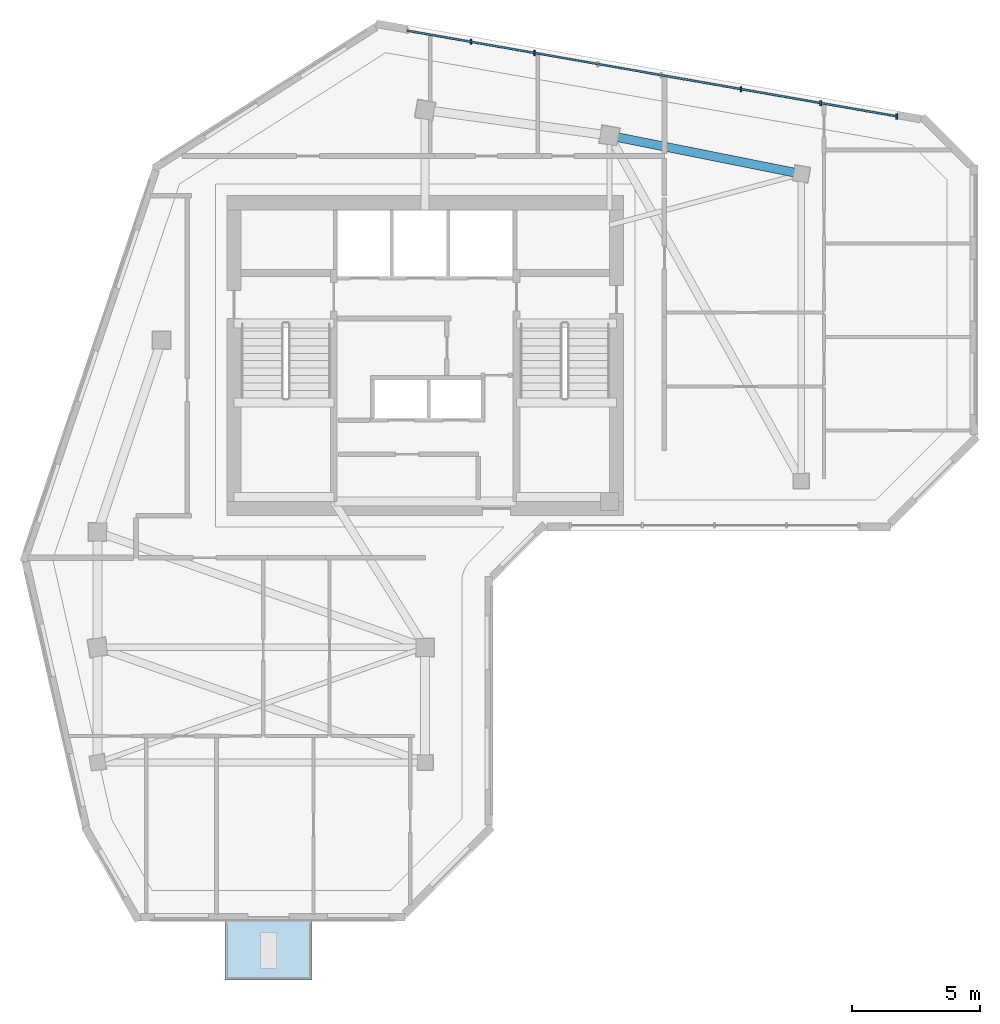
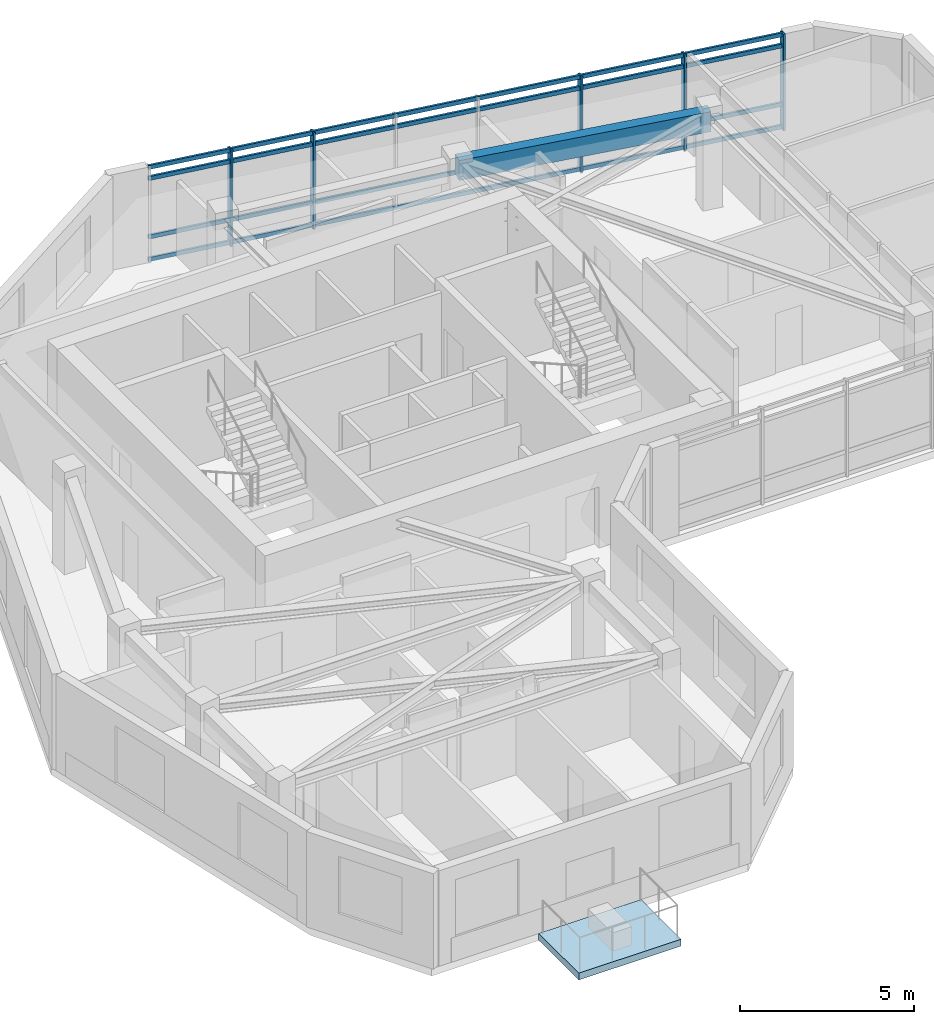
# One storey, part 2 of 10: 9 members, 1 beam, 1 slab, 1 element without a shape of its own.
"""IFC4 building model written with IfcOpenShell, lengths in metres."""

from ifc_helpers import new_model, si_unit, direction, frame, origin, origin_2d, place, context, subcontext, project, spatial, polyline, rectangle, outline, extrude, source, transform, mapped, material, layer, layer_set, material_profile, profile_set, type_object, element, aggregate, save


model = new_model("IFC4")

# Units and contexts
model_context = context("Model", 3, precision=1e-05, world=origin(), true_north=direction((0.0, 1.0)))
body_context = subcontext(model_context, "Body", "Model", "MODEL_VIEW")
ifc_project = project(units=[si_unit("LENGTHUNIT", "METRE"), si_unit("AREAUNIT", "SQUARE_METRE"), si_unit("VOLUMEUNIT", "CUBIC_METRE"), si_unit("PLANEANGLEUNIT", "RADIAN"), si_unit("MASSUNIT", "GRAM", prefix="KILO")], contexts=[model_context])

# Site, building, storey
site_placement = place(None, origin())
site = spatial("IfcSite", under=ifc_project, at=site_placement, CompositionType="ELEMENT")
building_placement = place(site_placement, origin())
building = spatial("IfcBuilding", under=site, at=building_placement, Name="Calvemar Wedge Station Tower", CompositionType="ELEMENT")
storey_placement = place(building_placement, frame((0.0, 0.0, 252.89990234375)))
storey = spatial("IfcBuildingStorey", under=building, at=storey_placement, Name="L64", CompositionType="ELEMENT", Elevation=252.89990234375)

# Beam
ifc_material_1 = material(Name="Concrete C50", Category="concrete")
ifc_material_profile_1 = material_profile(ifc_material_1, rectangle(XDim=0.35009765625, YDim=0.699951171875, at=origin_2d()), Name="RC350x700")
ifc_profile_set_1 = profile_set([ifc_material_profile_1], Name="Concrete C50")
beam_type = type_object("IfcBeamType", Name="BM-SP2-700", PredefinedType="SPANDREL", material=ifc_profile_set_1)
shared_shape_1 = source(origin(), body_context, "Body", "SweptSolid", [
    extrude(rectangle(XDim=0.35009765625, YDim=0.699951171875, at=origin_2d()), origin(), (0.0, 0.0, 1.0), 7.6484375),
])
beam_placement = place(storey_placement, frame((31.0, 48.5, 3.0), z_axis=(0.980580675691, -0.196116135138, 0.0), x_axis=(0.196116135138, 0.980580675691, 0.0)))
element("IfcBeam", 1, at=beam_placement, inside=storey, type_object=beam_type, Name="Storey L64 Spandrel T-N2-T-NU3", PredefinedType="SPANDREL", context=body_context, shape_type="MappedRepresentation", body=[
    mapped(shared_shape_1, transform((0.0, 0.0, 0.0), scale=1.0)),
])

# Curtain wall, members
ifc_material_2 = material(Name="Anodised aluminium 6063-T6", Category="aluminium")
curtain_wall_type = type_object("IfcCurtainWallType", Name="CW4", PredefinedType="NOTDEFINED", material=ifc_material_2)
curtain_wall_placement = place(storey_placement, origin())
curtain_wall = element("IfcCurtainWall", 2, at=curtain_wall_placement, inside=storey, type_object=curtain_wall_type, Name="Storey L64 CW4 Recessed Unitised Curtain Wall 10", PredefinedType="NOTDEFINED")
ifc_material_profile_2 = material_profile(ifc_material_2, rectangle(XDim=0.070068359375, YDim=0.199951171875, at=origin_2d()), Name="AL-MUL-70x200")
ifc_profile_set_2 = profile_set([ifc_material_profile_2], Name="Anodised aluminium 6063-T6")
member_type_1 = type_object("IfcMemberType", Name="CW4-MUL", PredefinedType="MULLION", material=ifc_profile_set_2)
shared_shape_2 = source(origin(), body_context, "Body", "SweptSolid", [
    extrude(rectangle(XDim=0.070068359375, YDim=0.199951171875, at=origin_2d()), origin(), (0.0, 0.0, 1.0), 3.39990234375),
])
member_1_placement = place(storey_placement, frame((42.233642578125, 49.246826171875, -0.0498046875), z_axis=(0.0, 0.0, 1.0), x_axis=(1.0, 0.0, 0.0)))
member_1 = element("IfcMember", 3, at=member_1_placement, type_object=member_type_1, Name="CW4 mullion 1", PredefinedType="MULLION", context=body_context, shape_type="MappedRepresentation", body=[
    mapped(shared_shape_2, transform((0.0, 0.0, 0.0), scale=1.0)),
])
member_2_placement = place(storey_placement, frame((39.253662109375, 49.768310546875, -0.0498046875), z_axis=(0.0, 0.0, 1.0), x_axis=(1.0, 0.0, 0.0)))
member_2 = element("IfcMember", 4, at=member_2_placement, type_object=member_type_1, Name="CW4 mullion 2", PredefinedType="MULLION", context=body_context, shape_type="MappedRepresentation", body=[
    mapped(shared_shape_2, transform((0.0, 0.0, 0.0), scale=1.0)),
])
member_3_placement = place(storey_placement, frame((36.1376953125, 50.3134765625, -0.0498046875), z_axis=(0.0, 0.0, 1.0), x_axis=(1.0, 0.0, 0.0)))
member_3 = element("IfcMember", 5, at=member_3_placement, type_object=member_type_1, Name="CW4 mullion 3", PredefinedType="MULLION", context=body_context, shape_type="MappedRepresentation", body=[
    mapped(shared_shape_2, transform((0.0, 0.0, 0.0), scale=1.0)),
])
member_4_placement = place(storey_placement, frame((28.071533203125, 51.724609375, -0.0498046875), z_axis=(0.0, 0.0, 1.0), x_axis=(1.0, 0.0, 0.0)))
member_4 = element("IfcMember", 6, at=member_4_placement, type_object=member_type_1, Name="CW4 mullion 6", PredefinedType="MULLION", context=body_context, shape_type="MappedRepresentation", body=[
    mapped(shared_shape_2, transform((0.0, 0.0, 0.0), scale=1.0)),
])
member_5_placement = place(storey_placement, frame((25.588134765625, 52.158935546875, -0.0498046875), z_axis=(0.0, 0.0, 1.0), x_axis=(1.0, 0.0, 0.0)))
member_5 = element("IfcMember", 7, at=member_5_placement, type_object=member_type_1, Name="CW4 mullion 7", PredefinedType="MULLION", context=body_context, shape_type="MappedRepresentation", body=[
    mapped(shared_shape_2, transform((0.0, 0.0, 0.0), scale=1.0)),
])
ifc_material_profile_3 = material_profile(ifc_material_2, rectangle(XDim=0.070068359375, YDim=0.139892578125, at=origin_2d()), Name="AL-TRN-70x140")
ifc_profile_set_3 = profile_set([ifc_material_profile_3], Name="Anodised aluminium 6063-T6")
member_type_2 = type_object("IfcMemberType", Name="CW4-TRN", PredefinedType="USERDEFINED", material=ifc_profile_set_3)
shared_shape_3 = source(origin(), body_context, "Body", "SweptSolid", [
    extrude(rectangle(XDim=0.070068359375, YDim=0.139892578125, at=origin_2d()), origin(), (0.0, 0.0, 1.0), 19.41943359375),
])
member_6_placement = place(storey_placement, frame((42.233642578125, 49.246826171875, 0.06005859375), z_axis=(-0.985038151159, 0.172336417399, 0.0), x_axis=(-0.172336417399, -0.985038151159, 0.0)))
member_6 = element("IfcMember", 8, at=member_6_placement, type_object=member_type_2, Name="CW4 transom 1", ObjectType="TRANSOM", PredefinedType="USERDEFINED", context=body_context, shape_type="MappedRepresentation", body=[
    mapped(shared_shape_3, transform((0.0, 0.0, 0.0), scale=1.0)),
])
member_7_placement = place(storey_placement, frame((42.233642578125, 49.246826171875, 0.85009765625), z_axis=(-0.985038151159, 0.172336417399, 0.0), x_axis=(-0.172336417399, -0.985038151159, 0.0)))
member_7 = element("IfcMember", 9, at=member_7_placement, type_object=member_type_2, Name="CW4 transom 2", ObjectType="TRANSOM", PredefinedType="USERDEFINED", context=body_context, shape_type="MappedRepresentation", body=[
    mapped(shared_shape_3, transform((0.0, 0.0, 0.0), scale=1.0)),
])
member_8_placement = place(storey_placement, frame((42.233642578125, 49.246826171875, 2.900146484375), z_axis=(-0.985038151159, 0.172336417399, 0.0), x_axis=(-0.172336417399, -0.985038151159, 0.0)))
member_8 = element("IfcMember", 10, at=member_8_placement, type_object=member_type_2, Name="CW4 transom 3", ObjectType="TRANSOM", PredefinedType="USERDEFINED", context=body_context, shape_type="MappedRepresentation", body=[
    mapped(shared_shape_3, transform((0.0, 0.0, 0.0), scale=1.0)),
])
member_9_placement = place(storey_placement, frame((42.233642578125, 49.246826171875, 3.2900390625), z_axis=(-0.985038151159, 0.172336417399, 0.0), x_axis=(-0.172336417399, -0.985038151159, 0.0)))
member_9 = element("IfcMember", 11, at=member_9_placement, type_object=member_type_2, Name="CW4 transom 4", ObjectType="TRANSOM", PredefinedType="USERDEFINED", context=body_context, shape_type="MappedRepresentation", body=[
    mapped(shared_shape_3, transform((0.0, 0.0, 0.0), scale=1.0)),
])
aggregate(curtain_wall, [member_1, member_2, member_3, member_4, member_5, member_6, member_7, member_8, member_9])

# Slab
ifc_material_3 = material(Name="Concrete C45", Category="concrete")
ifc_layer = layer(ifc_material_3, 0.239990234375)
ifc_layer_set = layer_set([ifc_layer], Name="Concrete C45")
slab_type = type_object("IfcSlabType", Name="SL-TERR-240", PredefinedType="FLOOR", material=ifc_layer_set)
slab_placement = place(storey_placement, frame((0.0, 0.0, -0.239990234375)))
element("IfcSlab", 12, at=slab_placement, inside=storey, type_object=slab_type, Name="Storey L64 Planted Spiral Terrace Slab", PredefinedType="FLOOR", context=body_context, shape_type="SweptSolid", body=[
    extrude(outline(polyline([(15.98193359375, 17.800048828125), (15.98193359375, 15.5), (19.382080078125, 15.5), (19.382080078125, 17.800048828125), (15.98193359375, 17.800048828125)])), origin(), (0.0, 0.0, 1.0), 0.239990234375),
])

save(model, "model.ifc")
